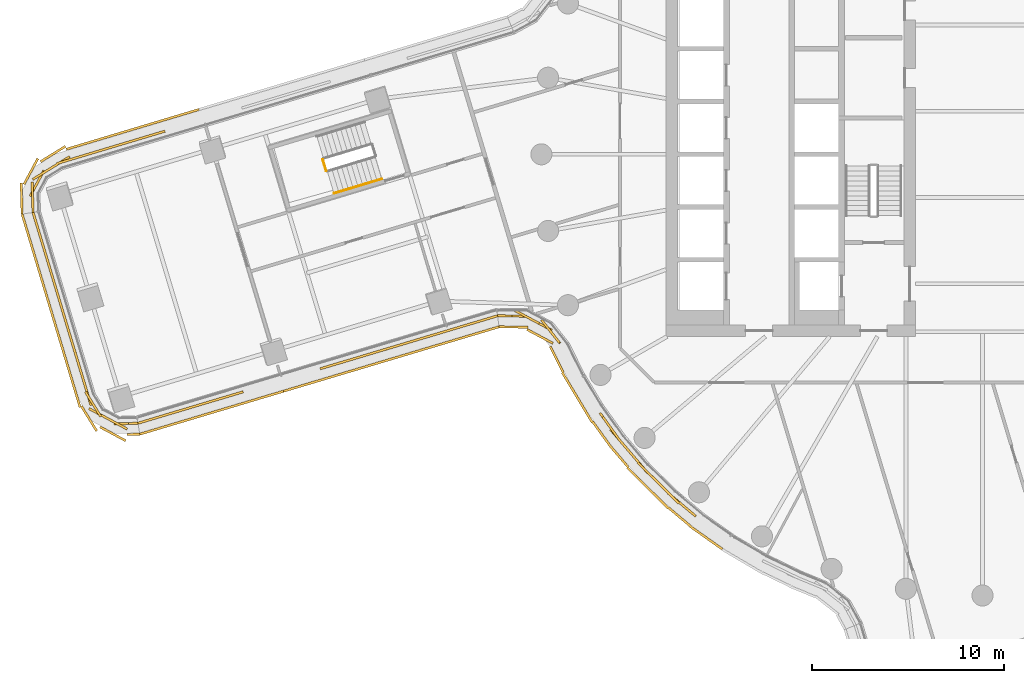
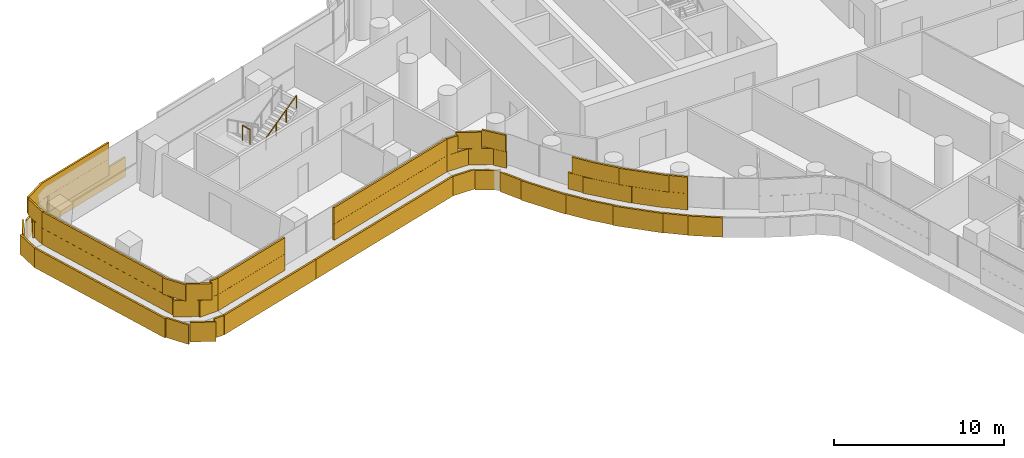
# One storey, part 26 of 32: 5 coverings, 2 railings.
"""IFC4 building model written with IfcOpenShell, lengths in metres."""

from ifc_helpers import new_model, si_unit, direction, frame, origin, origin_2d, place, context, subcontext, project, spatial, rectangle, circle, extrude, material, layer, layer_set, type_object, element, save


model = new_model("IFC4")

# Units and contexts
model_context = context("Model", 3, precision=1e-05, world=origin(), true_north=direction((0.0, 1.0)))
body_context = subcontext(model_context, "Body", "Model", "MODEL_VIEW")
ifc_project = project(units=[si_unit("LENGTHUNIT", "METRE"), si_unit("AREAUNIT", "SQUARE_METRE"), si_unit("VOLUMEUNIT", "CUBIC_METRE"), si_unit("PLANEANGLEUNIT", "RADIAN"), si_unit("MASSUNIT", "GRAM", prefix="KILO")], contexts=[model_context])

# Site, building, storey
site_placement = place(None, origin())
site = spatial("IfcSite", under=ifc_project, at=site_placement, CompositionType="ELEMENT")
building_placement = place(site_placement, origin())
building = spatial("IfcBuilding", under=site, at=building_placement, Name="Tamarind Cross Interchange Tower", CompositionType="ELEMENT")
storey_placement = place(building_placement, frame((0.0, 0.0, 94.75)))
storey = spatial("IfcBuildingStorey", under=building, at=storey_placement, Name="L22", CompositionType="ELEMENT", Elevation=94.75)

# Railings
ifc_material_1 = material(Name="Stair guard")
railing_type_1 = type_object("IfcRailingType", Name="Stair guard", PredefinedType="GUARDRAIL", material=ifc_material_1)
railing_1_placement = place(storey_placement, frame((-34.394287109375, -0.27685546875, 1.875)))
element("IfcRailing", 1, at=railing_1_placement, inside=storey, type_object=railing_type_1, Name="L22 ST5 stair guard 2", PredefinedType="GUARDRAIL", context=body_context, shape_type="SweptSolid", body=[
    extrude(circle(Radius=0.02392578125, at=origin_2d()), frame((0.0, 0.0, 1.076171875), z_axis=(0.287758606803, -0.957702972853, 0.0), x_axis=(0.957702972853, 0.287758606803, 0.0)), (0.0, 0.0, 1.0), 0.599853515625),
    extrude(circle(Radius=0.02099609375, at=origin_2d()), origin(), (0.0, 0.0, 1.0), 1.052001953125),
    extrude(circle(Radius=0.02099609375, at=origin_2d()), frame((0.172607421875, -0.574462890625, 0.0)), (0.0, 0.0, 1.0), 1.052001953125),
])
ifc_material_2 = material(Name="Stair handrail")
railing_type_2 = type_object("IfcRailingType", Name="Stair handrail", PredefinedType="HANDRAIL", material=ifc_material_2)
railing_2_placement = place(storey_placement, frame((-33.814208984375, -2.0341796875, 2.04541015625)))
element("IfcRailing", 2, at=railing_2_placement, inside=storey, type_object=railing_type_2, Name="L22 ST5 stair handrail 2", PredefinedType="HANDRAIL", context=body_context, shape_type="SweptSolid", body=[
    extrude(circle(Radius=0.02392578125, at=origin_2d()), frame((0.0, 0.0, 0.8759765625), z_axis=(0.800966811225, 0.240525621842, 0.5482696349), x_axis=(-0.287606307034, 0.957748720779, 0.0)), (0.0, 0.0, 1.0), 3.109130859375),
    extrude(circle(Radius=0.02099609375, at=origin_2d()), origin(), (0.0, 0.0, 1.0), 0.851806640625),
    extrude(circle(Radius=0.02099609375, at=origin_2d()), frame((0.830078125, 0.249267578125, 0.568115234375)), (0.0, 0.0, 1.0), 0.851806640625),
    extrude(circle(Radius=0.02099609375, at=origin_2d()), frame((1.66015625, 0.49853515625, 1.136474609375)), (0.0, 0.0, 1.0), 0.851806640625),
    extrude(circle(Radius=0.02099609375, at=origin_2d()), frame((2.490234375, 0.747802734375, 1.70458984375)), (0.0, 0.0, 1.0), 0.851806640625),
])

# Coverings
ifc_material_3 = material(Name="Terracotta", Category="masonry")
ifc_layer = layer(ifc_material_3, 0.1201171875)
ifc_layer_set = layer_set([ifc_layer], Name="Terracotta")
covering_type = type_object("IfcCoveringType", Name="Terracotta baguette screen unit", PredefinedType="MOLDING", material=ifc_layer_set)
covering_1_placement = place(storey_placement, origin())
element("IfcCovering", 3, at=covering_1_placement, inside=storey, type_object=covering_type, Name="SCR-L22-03-02", PredefinedType="MOLDING", context=body_context, shape_type="SweptSolid", body=[
    extrude(rectangle(XDim=0.63232421875, YDim=0.1201171875, at=origin_2d()), frame((-42.92822265625, 1.117431640625, 1.404052734375), z_axis=(0.0, 0.0, 1.0), x_axis=(-0.957738195167, -0.287641355717, 0.0)), (0.0, 0.0, 1.0), 1.1669921875),
    extrude(rectangle(XDim=1.52001953125, YDim=0.1201171875, at=origin_2d()), frame((-43.9443359375, 0.812255859375, 1.404052734375), z_axis=(0.0, 0.0, 1.0), x_axis=(-0.957738195167, -0.287641355717, 0.0)), (0.0, 0.0, 1.0), 1.1669921875),
    extrude(rectangle(XDim=1.52001953125, YDim=0.1201171875, at=origin_2d()), frame((-45.381103515625, 0.380859375, 1.404052734375), z_axis=(0.0, 0.0, 1.0), x_axis=(-0.957738195167, -0.287641355717, 0.0)), (0.0, 0.0, 1.0), 1.1669921875),
    extrude(rectangle(XDim=1.52001953125, YDim=0.1201171875, at=origin_2d()), frame((-46.817626953125, -0.05078125, 1.404052734375), z_axis=(0.0, 0.0, 1.0), x_axis=(-0.957738195167, -0.287641355717, 0.0)), (0.0, 0.0, 1.0), 1.1669921875),
    extrude(rectangle(XDim=1.52001953125, YDim=0.1201171875, at=origin_2d()), frame((-48.238037109375, -0.51806640625, 1.404052734375), z_axis=(0.0, 0.0, 1.0), x_axis=(-0.850656996517, -0.525721099327, 0.0)), (0.0, 0.0, 1.0), 1.1669921875),
    extrude(rectangle(XDim=1.52001953125, YDim=0.1201171875, at=origin_2d()), frame((-49.295654296875, -1.512451171875, 1.404052734375), z_axis=(0.0, 0.0, 1.0), x_axis=(-0.473830019227, -0.880616325581, 0.0)), (0.0, 0.0, 1.0), 1.1669921875),
    extrude(rectangle(XDim=0.835205078125, YDim=0.1201171875, at=origin_2d()), frame((-49.5146484375, -2.614501953125, 1.404052734375), z_axis=(0.0, 0.0, 1.0), x_axis=(0.029959329064, -0.999551118554, 0.0)), (0.0, 0.0, 1.0), 1.1669921875),
    extrude(rectangle(XDim=1.38232421875, YDim=0.1201171875, at=origin_2d()), frame((-43.287353515625, 1.009521484375, 2.5791015625), z_axis=(0.0, 0.0, 1.0), x_axis=(-0.957738195167, -0.287641355717, 0.0)), (0.0, 0.0, 1.0), 1.1669921875),
    extrude(rectangle(XDim=1.52001953125, YDim=0.1201171875, at=origin_2d()), frame((-44.662841796875, 0.596435546875, 2.5791015625), z_axis=(0.0, 0.0, 1.0), x_axis=(-0.957738195167, -0.287641355717, 0.0)), (0.0, 0.0, 1.0), 1.1669921875),
    extrude(rectangle(XDim=1.52001953125, YDim=0.1201171875, at=origin_2d()), frame((-46.099365234375, 0.1650390625, 2.5791015625), z_axis=(0.0, 0.0, 1.0), x_axis=(-0.957738195167, -0.287641355717, 0.0)), (0.0, 0.0, 1.0), 1.1669921875),
    extrude(rectangle(XDim=1.52001953125, YDim=0.1201171875, at=origin_2d()), frame((-47.535888671875, -0.266357421875, 2.5791015625), z_axis=(0.0, 0.0, 1.0), x_axis=(-0.957738195167, -0.287641355717, 0.0)), (0.0, 0.0, 1.0), 1.1669921875),
    extrude(rectangle(XDim=1.52001953125, YDim=0.1201171875, at=origin_2d()), frame((-48.8759765625, -0.912353515625, 2.5791015625), z_axis=(0.0, 0.0, 1.0), x_axis=(-0.850656996517, -0.525721099327, 0.0)), (0.0, 0.0, 1.0), 1.1669921875),
    extrude(rectangle(XDim=1.52001953125, YDim=0.1201171875, at=origin_2d()), frame((-49.527099609375, -2.2021484375, 2.5791015625), z_axis=(0.0, 0.0, 1.0), x_axis=(0.029959329064, -0.999551118554, 0.0)), (0.0, 0.0, 1.0), 1.1669921875),
    extrude(rectangle(XDim=0.085205078125, YDim=0.1201171875, at=origin_2d()), frame((-49.50341796875, -2.9892578125, 2.5791015625), z_axis=(0.0, 0.0, 1.0), x_axis=(0.029959329064, -0.999551118554, 0.0)), (0.0, 0.0, 1.0), 1.1669921875),
    extrude(rectangle(XDim=1.22119140625, YDim=0.1201171875, at=origin_2d()), frame((-41.436279296875, 2.164794921875, 0.00390625), z_axis=(0.0, 0.0, 1.0), x_axis=(-0.957738195167, -0.287641355717, 0.0)), (0.0, 0.0, 1.0), 1.39208984375),
    extrude(rectangle(XDim=1.52001953125, YDim=0.1201171875, at=origin_2d()), frame((-42.729736328125, 1.7763671875, 0.00390625), z_axis=(0.0, 0.0, 1.0), x_axis=(-0.957738195167, -0.287641355717, 0.0)), (0.0, 0.0, 1.0), 1.39208984375),
    extrude(rectangle(XDim=1.52001953125, YDim=0.1201171875, at=origin_2d()), frame((-44.166259765625, 1.344970703125, 0.00390625), z_axis=(0.0, 0.0, 1.0), x_axis=(-0.957738195167, -0.287641355717, 0.0)), (0.0, 0.0, 1.0), 1.39208984375),
    extrude(rectangle(XDim=1.52001953125, YDim=0.1201171875, at=origin_2d()), frame((-45.60302734375, 0.913330078125, 0.00390625), z_axis=(0.0, 0.0, 1.0), x_axis=(-0.957738195167, -0.287641355717, 0.0)), (0.0, 0.0, 1.0), 1.39208984375),
    extrude(rectangle(XDim=1.52001953125, YDim=0.1201171875, at=origin_2d()), frame((-47.03955078125, 0.48193359375, 0.00390625), z_axis=(0.0, 0.0, 1.0), x_axis=(-0.957738195167, -0.287641355717, 0.0)), (0.0, 0.0, 1.0), 1.39208984375),
    extrude(rectangle(XDim=1.52001953125, YDim=0.1201171875, at=origin_2d()), frame((-48.461669921875, 0.018310546875, 0.00390625), z_axis=(0.0, 0.0, 1.0), x_axis=(-0.850656996517, -0.525721099327, 0.0)), (0.0, 0.0, 1.0), 1.39208984375),
    extrude(rectangle(XDim=1.52001953125, YDim=0.1201171875, at=origin_2d()), frame((-49.61181640625, -0.888671875, 0.00390625), z_axis=(0.0, 0.0, 1.0), x_axis=(-0.473830019227, -0.880616325581, 0.0)), (0.0, 0.0, 1.0), 1.39208984375),
    extrude(rectangle(XDim=1.52001953125, YDim=0.1201171875, at=origin_2d()), frame((-50.099365234375, -2.26220703125, 0.00390625), z_axis=(0.0, 0.0, 1.0), x_axis=(0.029959329064, -0.999551118554, 0.0)), (0.0, 0.0, 1.0), 1.39208984375),
    extrude(rectangle(XDim=0.11767578125, YDim=0.1201171875, at=origin_2d()), frame((-50.075439453125, -3.060791015625, 0.00390625), z_axis=(0.0, 0.0, 1.0), x_axis=(0.029959329064, -0.999551118554, 0.0)), (0.0, 0.0, 1.0), 1.39208984375),
])
covering_2_placement = place(storey_placement, origin())
element("IfcCovering", 4, at=covering_2_placement, inside=storey, type_object=covering_type, Name="SCR-L22-04-00", PredefinedType="MOLDING", context=body_context, shape_type="SweptSolid", body=[
    extrude(rectangle(XDim=1.510009765625, YDim=0.1201171875, at=origin_2d()), frame((-49.28662109375, -3.7451171875, 1.404052734375), z_axis=(0.0, 0.0, 1.0), x_axis=(0.287641355717, -0.957738195167, 0.0)), (0.0, 0.0, 1.0), 1.1669921875),
    extrude(rectangle(XDim=1.52001953125, YDim=0.1201171875, at=origin_2d()), frame((-48.85498046875, -5.181884765625, 1.404052734375), z_axis=(0.0, 0.0, 1.0), x_axis=(0.287641355717, -0.957738195167, 0.0)), (0.0, 0.0, 1.0), 1.1669921875),
    extrude(rectangle(XDim=1.52001953125, YDim=0.1201171875, at=origin_2d()), frame((-48.423583984375, -6.618408203125, 1.404052734375), z_axis=(0.0, 0.0, 1.0), x_axis=(0.287641355717, -0.957738195167, 0.0)), (0.0, 0.0, 1.0), 1.1669921875),
    extrude(rectangle(XDim=1.52001953125, YDim=0.1201171875, at=origin_2d()), frame((-47.9921875, -8.054931640625, 1.404052734375), z_axis=(0.0, 0.0, 1.0), x_axis=(0.287641355717, -0.957738195167, 0.0)), (0.0, 0.0, 1.0), 1.1669921875),
    extrude(rectangle(XDim=1.52001953125, YDim=0.1201171875, at=origin_2d()), frame((-47.560791015625, -9.49169921875, 1.404052734375), z_axis=(0.0, 0.0, 1.0), x_axis=(0.287641355717, -0.957738195167, 0.0)), (0.0, 0.0, 1.0), 1.1669921875),
    extrude(rectangle(XDim=1.52001953125, YDim=0.1201171875, at=origin_2d()), frame((-47.129150390625, -10.92822265625, 1.404052734375), z_axis=(0.0, 0.0, 1.0), x_axis=(0.287641355717, -0.957738195167, 0.0)), (0.0, 0.0, 1.0), 1.1669921875),
    extrude(rectangle(XDim=1.52001953125, YDim=0.1201171875, at=origin_2d()), frame((-46.69775390625, -12.36474609375, 1.404052734375), z_axis=(0.0, 0.0, 1.0), x_axis=(0.287641355717, -0.957738195167, 0.0)), (0.0, 0.0, 1.0), 1.1669921875),
    extrude(rectangle(XDim=1.52001953125, YDim=0.1201171875, at=origin_2d()), frame((-45.91943359375, -13.611572265625, 1.404052734375), z_axis=(0.0, 0.0, 1.0), x_axis=(0.880616325581, -0.473830019227, 0.0)), (0.0, 0.0, 1.0), 1.1669921875),
    extrude(rectangle(XDim=1.259521484375, YDim=0.1201171875, at=origin_2d()), frame((-44.655517578125, -14.038330078125, 1.404052734375), z_axis=(0.0, 0.0, 1.0), x_axis=(0.999551118554, 0.029959329064, 0.0)), (0.0, 0.0, 1.0), 1.1669921875),
    extrude(rectangle(XDim=0.760009765625, YDim=0.1201171875, at=origin_2d()), frame((-49.39453125, -3.385986328125, 2.5791015625), z_axis=(0.0, 0.0, 1.0), x_axis=(0.287641355717, -0.957738195167, 0.0)), (0.0, 0.0, 1.0), 1.1669921875),
    extrude(rectangle(XDim=1.52001953125, YDim=0.1201171875, at=origin_2d()), frame((-49.07080078125, -4.46337890625, 2.5791015625), z_axis=(0.0, 0.0, 1.0), x_axis=(0.287641355717, -0.957738195167, 0.0)), (0.0, 0.0, 1.0), 1.1669921875),
    extrude(rectangle(XDim=1.52001953125, YDim=0.1201171875, at=origin_2d()), frame((-48.639404296875, -5.900146484375, 2.5791015625), z_axis=(0.0, 0.0, 1.0), x_axis=(0.287641355717, -0.957738195167, 0.0)), (0.0, 0.0, 1.0), 1.1669921875),
    extrude(rectangle(XDim=1.52001953125, YDim=0.1201171875, at=origin_2d()), frame((-48.2080078125, -7.336669921875, 2.5791015625), z_axis=(0.0, 0.0, 1.0), x_axis=(0.287641355717, -0.957738195167, 0.0)), (0.0, 0.0, 1.0), 1.1669921875),
    extrude(rectangle(XDim=1.52001953125, YDim=0.1201171875, at=origin_2d()), frame((-47.7763671875, -8.773193359375, 2.5791015625), z_axis=(0.0, 0.0, 1.0), x_axis=(0.287641355717, -0.957738195167, 0.0)), (0.0, 0.0, 1.0), 1.1669921875),
    extrude(rectangle(XDim=1.52001953125, YDim=0.1201171875, at=origin_2d()), frame((-47.344970703125, -10.2099609375, 2.5791015625), z_axis=(0.0, 0.0, 1.0), x_axis=(0.287641355717, -0.957738195167, 0.0)), (0.0, 0.0, 1.0), 1.1669921875),
    extrude(rectangle(XDim=1.52001953125, YDim=0.1201171875, at=origin_2d()), frame((-46.91357421875, -11.646484375, 2.5791015625), z_axis=(0.0, 0.0, 1.0), x_axis=(0.287641355717, -0.957738195167, 0.0)), (0.0, 0.0, 1.0), 1.1669921875),
    extrude(rectangle(XDim=1.52001953125, YDim=0.1201171875, at=origin_2d()), frame((-46.36865234375, -13.0322265625, 2.5791015625), z_axis=(0.0, 0.0, 1.0), x_axis=(0.525721099327, -0.850656996517, 0.0)), (0.0, 0.0, 1.0), 1.1669921875),
    extrude(rectangle(XDim=1.52001953125, YDim=0.1201171875, at=origin_2d()), frame((-45.2587890625, -13.967041015625, 2.5791015625), z_axis=(0.0, 0.0, 1.0), x_axis=(0.880616325581, -0.473830019227, 0.0)), (0.0, 0.0, 1.0), 1.1669921875),
    extrude(rectangle(XDim=0.509521484375, YDim=0.1201171875, at=origin_2d()), frame((-44.28076171875, -14.027099609375, 2.5791015625), z_axis=(0.0, 0.0, 1.0), x_axis=(0.999551118554, 0.029959329064, 0.0)), (0.0, 0.0, 1.0), 1.1669921875),
    extrude(rectangle(XDim=1.510009765625, YDim=0.1201171875, at=origin_2d()), frame((-49.856689453125, -3.8427734375, 0.00390625), z_axis=(0.0, 0.0, 1.0), x_axis=(0.287641355717, -0.957738195167, 0.0)), (0.0, 0.0, 1.0), 1.39208984375),
    extrude(rectangle(XDim=1.52001953125, YDim=0.1201171875, at=origin_2d()), frame((-49.426513671875, -5.2744140625, 0.00390625), z_axis=(0.0, 0.0, 1.0), x_axis=(0.287641355717, -0.957738195167, 0.0)), (0.0, 0.0, 1.0), 1.39208984375),
    extrude(rectangle(XDim=1.52001953125, YDim=0.1201171875, at=origin_2d()), frame((-48.9951171875, -6.711181640625, 0.00390625), z_axis=(0.0, 0.0, 1.0), x_axis=(0.287641355717, -0.957738195167, 0.0)), (0.0, 0.0, 1.0), 1.39208984375),
    extrude(rectangle(XDim=1.52001953125, YDim=0.1201171875, at=origin_2d()), frame((-48.563720703125, -8.147705078125, 0.00390625), z_axis=(0.0, 0.0, 1.0), x_axis=(0.287641355717, -0.957738195167, 0.0)), (0.0, 0.0, 1.0), 1.39208984375),
    extrude(rectangle(XDim=1.52001953125, YDim=0.1201171875, at=origin_2d()), frame((-48.132080078125, -9.584228515625, 0.00390625), z_axis=(0.0, 0.0, 1.0), x_axis=(0.287641355717, -0.957738195167, 0.0)), (0.0, 0.0, 1.0), 1.39208984375),
    extrude(rectangle(XDim=1.52001953125, YDim=0.1201171875, at=origin_2d()), frame((-47.70068359375, -11.02099609375, 0.00390625), z_axis=(0.0, 0.0, 1.0), x_axis=(0.287641355717, -0.957738195167, 0.0)), (0.0, 0.0, 1.0), 1.39208984375),
    extrude(rectangle(XDim=1.52001953125, YDim=0.1201171875, at=origin_2d()), frame((-47.269287109375, -12.45751953125, 0.00390625), z_axis=(0.0, 0.0, 1.0), x_axis=(0.287641355717, -0.957738195167, 0.0)), (0.0, 0.0, 1.0), 1.39208984375),
    extrude(rectangle(XDim=1.52001953125, YDim=0.1201171875, at=origin_2d()), frame((-46.581787109375, -13.779052734375, 0.00390625), z_axis=(0.0, 0.0, 1.0), x_axis=(0.525721099327, -0.850656996517, 0.0)), (0.0, 0.0, 1.0), 1.39208984375),
    extrude(rectangle(XDim=1.52001953125, YDim=0.1201171875, at=origin_2d()), frame((-45.3408203125, -14.57470703125, 0.00390625), z_axis=(0.0, 0.0, 1.0), x_axis=(0.880616325581, -0.473830019227, 0.0)), (0.0, 0.0, 1.0), 1.39208984375),
    extrude(rectangle(XDim=0.6767578125, YDim=0.1201171875, at=origin_2d()), frame((-44.27685546875, -14.60107421875, 0.00390625), z_axis=(0.0, 0.0, 1.0), x_axis=(0.999551118554, 0.029959329064, 0.0)), (0.0, 0.0, 1.0), 1.39208984375),
])
covering_3_placement = place(storey_placement, origin())
element("IfcCovering", 5, at=covering_3_placement, inside=storey, type_object=covering_type, Name="SCR-L22-05-00", PredefinedType="MOLDING", context=body_context, shape_type="SweptSolid", body=[
    extrude(rectangle(XDim=1.510009765625, YDim=0.1201171875, at=origin_2d()), frame((-43.3125, -13.8046875, 1.404052734375), z_axis=(0.0, 0.0, 1.0), x_axis=(0.958138695884, 0.286304452373, 0.0)), (0.0, 0.0, 1.0), 1.1669921875),
    extrude(rectangle(XDim=1.52001953125, YDim=0.1201171875, at=origin_2d()), frame((-41.875244140625, -13.375244140625, 1.404052734375), z_axis=(0.0, 0.0, 1.0), x_axis=(0.958138695884, 0.286304452373, 0.0)), (0.0, 0.0, 1.0), 1.1669921875),
    extrude(rectangle(XDim=1.52001953125, YDim=0.1201171875, at=origin_2d()), frame((-40.43798828125, -12.94580078125, 1.404052734375), z_axis=(0.0, 0.0, 1.0), x_axis=(0.958138695884, 0.286304452373, 0.0)), (0.0, 0.0, 1.0), 1.1669921875),
    extrude(rectangle(XDim=1.229736328125, YDim=0.1201171875, at=origin_2d()), frame((-39.135009765625, -12.556640625, 1.404052734375), z_axis=(0.0, 0.0, 1.0), x_axis=(0.958138695884, 0.286304452373, 0.0)), (0.0, 0.0, 1.0), 1.1669921875),
    extrude(rectangle(XDim=0.760009765625, YDim=0.1201171875, at=origin_2d()), frame((-43.671630859375, -13.912109375, 2.5791015625), z_axis=(0.0, 0.0, 1.0), x_axis=(0.958138695884, 0.286304452373, 0.0)), (0.0, 0.0, 1.0), 1.1669921875),
    extrude(rectangle(XDim=1.52001953125, YDim=0.1201171875, at=origin_2d()), frame((-42.59375, -13.590087890625, 2.5791015625), z_axis=(0.0, 0.0, 1.0), x_axis=(0.958138695884, 0.286304452373, 0.0)), (0.0, 0.0, 1.0), 1.1669921875),
    extrude(rectangle(XDim=1.52001953125, YDim=0.1201171875, at=origin_2d()), frame((-41.15673828125, -13.16064453125, 2.5791015625), z_axis=(0.0, 0.0, 1.0), x_axis=(0.958138695884, 0.286304452373, 0.0)), (0.0, 0.0, 1.0), 1.1669921875),
    extrude(rectangle(XDim=1.52001953125, YDim=0.1201171875, at=origin_2d()), frame((-39.719482421875, -12.731201171875, 2.5791015625), z_axis=(0.0, 0.0, 1.0), x_axis=(0.958138695884, 0.286304452373, 0.0)), (0.0, 0.0, 1.0), 1.1669921875),
    extrude(rectangle(XDim=0.479736328125, YDim=0.1201171875, at=origin_2d()), frame((-38.775634765625, -12.44921875, 2.5791015625), z_axis=(0.0, 0.0, 1.0), x_axis=(0.958138695884, 0.286304452373, 0.0)), (0.0, 0.0, 1.0), 1.1669921875),
    extrude(rectangle(XDim=1.510009765625, YDim=0.1201171875, at=origin_2d()), frame((-43.21533203125, -14.374755859375, 0.00390625), z_axis=(0.0, 0.0, 1.0), x_axis=(0.958138695884, 0.286304452373, 0.0)), (0.0, 0.0, 1.0), 1.39208984375),
    extrude(rectangle(XDim=1.52001953125, YDim=0.1201171875, at=origin_2d()), frame((-41.782958984375, -13.94677734375, 0.00390625), z_axis=(0.0, 0.0, 1.0), x_axis=(0.958138695884, 0.286304452373, 0.0)), (0.0, 0.0, 1.0), 1.39208984375),
    extrude(rectangle(XDim=1.52001953125, YDim=0.1201171875, at=origin_2d()), frame((-40.345703125, -13.517333984375, 0.00390625), z_axis=(0.0, 0.0, 1.0), x_axis=(0.958138695884, 0.286304452373, 0.0)), (0.0, 0.0, 1.0), 1.39208984375),
    extrude(rectangle(XDim=1.52001953125, YDim=0.1201171875, at=origin_2d()), frame((-38.908447265625, -13.087890625, 0.00390625), z_axis=(0.0, 0.0, 1.0), x_axis=(0.958138695884, 0.286304452373, 0.0)), (0.0, 0.0, 1.0), 1.39208984375),
    extrude(rectangle(XDim=1.52001953125, YDim=0.1201171875, at=origin_2d()), frame((-37.47119140625, -12.658447265625, 0.00390625), z_axis=(0.0, 0.0, 1.0), x_axis=(0.958138695884, 0.286304452373, 0.0)), (0.0, 0.0, 1.0), 1.39208984375),
    extrude(rectangle(XDim=0.32470703125, YDim=0.1201171875, at=origin_2d()), frame((-36.606689453125, -12.400146484375, 0.00390625), z_axis=(0.0, 0.0, 1.0), x_axis=(0.958138695884, 0.286304452373, 0.0)), (0.0, 0.0, 1.0), 1.39208984375),
])
covering_4_placement = place(storey_placement, origin())
element("IfcCovering", 6, at=covering_4_placement, inside=storey, type_object=covering_type, Name="SCR-L22-05-01", PredefinedType="MOLDING", context=body_context, shape_type="SweptSolid", body=[
    extrude(rectangle(XDim=0.59033203125, YDim=0.1201171875, at=origin_2d()), frame((-34.24853515625, -11.096435546875, 1.404052734375), z_axis=(0.0, 0.0, 1.0), x_axis=(0.958138695884, 0.286304452373, 0.0)), (0.0, 0.0, 1.0), 1.1669921875),
    extrude(rectangle(XDim=1.52001953125, YDim=0.1201171875, at=origin_2d()), frame((-33.251953125, -10.798583984375, 1.404052734375), z_axis=(0.0, 0.0, 1.0), x_axis=(0.958138695884, 0.286304452373, 0.0)), (0.0, 0.0, 1.0), 1.1669921875),
    extrude(rectangle(XDim=1.52001953125, YDim=0.1201171875, at=origin_2d()), frame((-31.814697265625, -10.369140625, 1.404052734375), z_axis=(0.0, 0.0, 1.0), x_axis=(0.958138695884, 0.286304452373, 0.0)), (0.0, 0.0, 1.0), 1.1669921875),
    extrude(rectangle(XDim=1.52001953125, YDim=0.1201171875, at=origin_2d()), frame((-30.37744140625, -9.939697265625, 1.404052734375), z_axis=(0.0, 0.0, 1.0), x_axis=(0.958138695884, 0.286304452373, 0.0)), (0.0, 0.0, 1.0), 1.1669921875),
    extrude(rectangle(XDim=1.52001953125, YDim=0.1201171875, at=origin_2d()), frame((-28.9404296875, -9.51025390625, 1.404052734375), z_axis=(0.0, 0.0, 1.0), x_axis=(0.958138695884, 0.286304452373, 0.0)), (0.0, 0.0, 1.0), 1.1669921875),
    extrude(rectangle(XDim=1.52001953125, YDim=0.1201171875, at=origin_2d()), frame((-27.503173828125, -9.080810546875, 1.404052734375), z_axis=(0.0, 0.0, 1.0), x_axis=(0.958138695884, 0.286304452373, 0.0)), (0.0, 0.0, 1.0), 1.1669921875),
    extrude(rectangle(XDim=1.52001953125, YDim=0.1201171875, at=origin_2d()), frame((-26.06591796875, -8.6513671875, 1.404052734375), z_axis=(0.0, 0.0, 1.0), x_axis=(0.958138695884, 0.286304452373, 0.0)), (0.0, 0.0, 1.0), 1.1669921875),
    extrude(rectangle(XDim=0.0751953125, YDim=0.1201171875, at=origin_2d()), frame((-25.316162109375, -8.42724609375, 1.404052734375), z_axis=(0.0, 0.0, 1.0), x_axis=(0.958138695884, 0.286304452373, 0.0)), (0.0, 0.0, 1.0), 1.1669921875),
    extrude(rectangle(XDim=1.34033203125, YDim=0.1201171875, at=origin_2d()), frame((-33.88916015625, -10.989013671875, 2.5791015625), z_axis=(0.0, 0.0, 1.0), x_axis=(0.958138695884, 0.286304452373, 0.0)), (0.0, 0.0, 1.0), 1.1669921875),
    extrude(rectangle(XDim=1.52001953125, YDim=0.1201171875, at=origin_2d()), frame((-32.533447265625, -10.583740234375, 2.5791015625), z_axis=(0.0, 0.0, 1.0), x_axis=(0.958138695884, 0.286304452373, 0.0)), (0.0, 0.0, 1.0), 1.1669921875),
    extrude(rectangle(XDim=1.52001953125, YDim=0.1201171875, at=origin_2d()), frame((-31.09619140625, -10.154296875, 2.5791015625), z_axis=(0.0, 0.0, 1.0), x_axis=(0.958138695884, 0.286304452373, 0.0)), (0.0, 0.0, 1.0), 1.1669921875),
    extrude(rectangle(XDim=1.52001953125, YDim=0.1201171875, at=origin_2d()), frame((-29.658935546875, -9.724853515625, 2.5791015625), z_axis=(0.0, 0.0, 1.0), x_axis=(0.958138695884, 0.286304452373, 0.0)), (0.0, 0.0, 1.0), 1.1669921875),
    extrude(rectangle(XDim=1.52001953125, YDim=0.1201171875, at=origin_2d()), frame((-28.2216796875, -9.29541015625, 2.5791015625), z_axis=(0.0, 0.0, 1.0), x_axis=(0.958138695884, 0.286304452373, 0.0)), (0.0, 0.0, 1.0), 1.1669921875),
    extrude(rectangle(XDim=1.52001953125, YDim=0.1201171875, at=origin_2d()), frame((-26.784423828125, -8.865966796875, 2.5791015625), z_axis=(0.0, 0.0, 1.0), x_axis=(0.958138695884, 0.286304452373, 0.0)), (0.0, 0.0, 1.0), 1.1669921875),
    extrude(rectangle(XDim=0.8251953125, YDim=0.1201171875, at=origin_2d()), frame((-25.675537109375, -8.53466796875, 2.5791015625), z_axis=(0.0, 0.0, 1.0), x_axis=(0.958138695884, 0.286304452373, 0.0)), (0.0, 0.0, 1.0), 1.1669921875),
    extrude(rectangle(XDim=1.1953125, YDim=0.1201171875, at=origin_2d()), frame((-35.878662109375, -12.1826171875, 0.00390625), z_axis=(0.0, 0.0, 1.0), x_axis=(0.958138695884, 0.286304452373, 0.0)), (0.0, 0.0, 1.0), 1.39208984375),
    extrude(rectangle(XDim=1.52001953125, YDim=0.1201171875, at=origin_2d()), frame((-34.596923828125, -11.799560546875, 0.00390625), z_axis=(0.0, 0.0, 1.0), x_axis=(0.958138695884, 0.286304452373, 0.0)), (0.0, 0.0, 1.0), 1.39208984375),
    extrude(rectangle(XDim=1.52001953125, YDim=0.1201171875, at=origin_2d()), frame((-33.15966796875, -11.3701171875, 0.00390625), z_axis=(0.0, 0.0, 1.0), x_axis=(0.958138695884, 0.286304452373, 0.0)), (0.0, 0.0, 1.0), 1.39208984375),
    extrude(rectangle(XDim=1.52001953125, YDim=0.1201171875, at=origin_2d()), frame((-31.722412109375, -10.940673828125, 0.00390625), z_axis=(0.0, 0.0, 1.0), x_axis=(0.958138695884, 0.286304452373, 0.0)), (0.0, 0.0, 1.0), 1.39208984375),
    extrude(rectangle(XDim=1.52001953125, YDim=0.1201171875, at=origin_2d()), frame((-30.28515625, -10.51123046875, 0.00390625), z_axis=(0.0, 0.0, 1.0), x_axis=(0.958138695884, 0.286304452373, 0.0)), (0.0, 0.0, 1.0), 1.39208984375),
    extrude(rectangle(XDim=1.52001953125, YDim=0.1201171875, at=origin_2d()), frame((-28.84814453125, -10.081787109375, 0.00390625), z_axis=(0.0, 0.0, 1.0), x_axis=(0.958138695884, 0.286304452373, 0.0)), (0.0, 0.0, 1.0), 1.39208984375),
    extrude(rectangle(XDim=1.52001953125, YDim=0.1201171875, at=origin_2d()), frame((-27.410888671875, -9.65234375, 0.00390625), z_axis=(0.0, 0.0, 1.0), x_axis=(0.958138695884, 0.286304452373, 0.0)), (0.0, 0.0, 1.0), 1.39208984375),
    extrude(rectangle(XDim=1.52001953125, YDim=0.1201171875, at=origin_2d()), frame((-25.9736328125, -9.222900390625, 0.00390625), z_axis=(0.0, 0.0, 1.0), x_axis=(0.958138695884, 0.286304452373, 0.0)), (0.0, 0.0, 1.0), 1.39208984375),
    extrude(rectangle(XDim=0.06201171875, YDim=0.1201171875, at=origin_2d()), frame((-25.23486328125, -9.001953125, 0.00390625), z_axis=(0.0, 0.0, 1.0), x_axis=(0.958138695884, 0.286304452373, 0.0)), (0.0, 0.0, 1.0), 1.39208984375),
])
covering_5_placement = place(storey_placement, origin())
element("IfcCovering", 7, at=covering_5_placement, inside=storey, type_object=covering_type, Name="SCR-L22-06-00", PredefinedType="MOLDING", context=body_context, shape_type="SweptSolid", body=[
    extrude(rectangle(XDim=1.510009765625, YDim=0.1201171875, at=origin_2d()), frame((-24.534912109375, -8.4287109375, 1.404052734375), z_axis=(0.0, 0.0, 1.0), x_axis=(0.99989613667, -0.014412351413, 0.0)), (0.0, 0.0, 1.0), 1.1669921875),
    extrude(rectangle(XDim=1.52001953125, YDim=0.1201171875, at=origin_2d()), frame((-23.12841796875, -8.8125, 1.404052734375), z_axis=(0.0, 0.0, 1.0), x_axis=(0.882402619654, -0.470495076305, 0.0)), (0.0, 0.0, 1.0), 1.1669921875),
    extrude(rectangle(XDim=0.80322265625, YDim=0.1201171875, at=origin_2d()), frame((-22.276611328125, -9.543212890625, 1.404052734375), z_axis=(0.0, 0.0, 1.0), x_axis=(0.619343717701, -0.785119964938, 0.0)), (0.0, 0.0, 1.0), 1.1669921875),
    extrude(rectangle(XDim=1.016845703125, YDim=0.1201171875, at=origin_2d()), frame((-19.64794921875, -13.89794921875, 1.404052734375), z_axis=(0.0, 0.0, 1.0), x_axis=(0.584573890505, -0.811340475102, 0.0)), (0.0, 0.0, 1.0), 1.1669921875),
    extrude(rectangle(XDim=1.52001953125, YDim=0.1201171875, at=origin_2d()), frame((-18.912109375, -14.912353515625, 1.404052734375), z_axis=(0.0, 0.0, 1.0), x_axis=(0.64957723968, -0.760295606781, 0.0)), (0.0, 0.0, 1.0), 1.1669921875),
    extrude(rectangle(XDim=1.52001953125, YDim=0.1201171875, at=origin_2d()), frame((-17.937744140625, -16.052734375, 1.404052734375), z_axis=(0.0, 0.0, 1.0), x_axis=(0.64957723968, -0.760295606781, 0.0)), (0.0, 0.0, 1.0), 1.1669921875),
    extrude(rectangle(XDim=1.52001953125, YDim=0.1201171875, at=origin_2d()), frame((-16.899169921875, -17.1337890625, 1.404052734375), z_axis=(0.0, 0.0, 1.0), x_axis=(0.710143317658, -0.704057148523, 0.0)), (0.0, 0.0, 1.0), 1.1669921875),
    extrude(rectangle(XDim=1.52001953125, YDim=0.1201171875, at=origin_2d()), frame((-15.802490234375, -18.1552734375, 1.404052734375), z_axis=(0.0, 0.0, 1.0), x_axis=(0.765858396687, -0.643009266048, 0.0)), (0.0, 0.0, 1.0), 1.1669921875),
    extrude(rectangle(XDim=0.3662109375, YDim=0.1201171875, at=origin_2d()), frame((-15.091552734375, -18.751953125, 1.404052734375), z_axis=(0.0, 0.0, 1.0), x_axis=(0.765858396687, -0.643009266048, 0.0)), (0.0, 0.0, 1.0), 1.1669921875),
    extrude(rectangle(XDim=0.760009765625, YDim=0.1201171875, at=origin_2d()), frame((-24.909912109375, -8.42333984375, 2.5791015625), z_axis=(0.0, 0.0, 1.0), x_axis=(0.99989613667, -0.014412351413, 0.0)), (0.0, 0.0, 1.0), 1.1669921875),
    extrude(rectangle(XDim=1.52001953125, YDim=0.1201171875, at=origin_2d()), frame((-23.790283203125, -8.459716796875, 2.5791015625), z_axis=(0.0, 0.0, 1.0), x_axis=(0.882402619654, -0.470495076305, 0.0)), (0.0, 0.0, 1.0), 1.1669921875),
    extrude(rectangle(XDim=1.52001953125, YDim=0.1201171875, at=origin_2d()), frame((-22.522216796875, -9.231689453125, 2.5791015625), z_axis=(0.0, 0.0, 1.0), x_axis=(0.619343717701, -0.785119964938, 0.0)), (0.0, 0.0, 1.0), 1.1669921875),
    extrude(rectangle(XDim=1.52001953125, YDim=0.1201171875, at=origin_2d()), frame((-19.353515625, -14.306396484375, 2.5791015625), z_axis=(0.0, 0.0, 1.0), x_axis=(0.584573890505, -0.811340475102, 0.0)), (0.0, 0.0, 1.0), 1.1669921875),
    extrude(rectangle(XDim=1.52001953125, YDim=0.1201171875, at=origin_2d()), frame((-18.4248046875, -15.482666015625, 2.5791015625), z_axis=(0.0, 0.0, 1.0), x_axis=(0.64957723968, -0.760295606781, 0.0)), (0.0, 0.0, 1.0), 1.1669921875),
    extrude(rectangle(XDim=1.52001953125, YDim=0.1201171875, at=origin_2d()), frame((-17.431884765625, -16.605712890625, 2.5791015625), z_axis=(0.0, 0.0, 1.0), x_axis=(0.710143317658, -0.704057148523, 0.0)), (0.0, 0.0, 1.0), 1.1669921875),
    extrude(rectangle(XDim=1.52001953125, YDim=0.1201171875, at=origin_2d()), frame((-16.36669921875, -17.661865234375, 2.5791015625), z_axis=(0.0, 0.0, 1.0), x_axis=(0.710143317658, -0.704057148523, 0.0)), (0.0, 0.0, 1.0), 1.1669921875),
    extrude(rectangle(XDim=1.1162109375, YDim=0.1201171875, at=origin_2d()), frame((-15.37890625, -18.510986328125, 2.5791015625), z_axis=(0.0, 0.0, 1.0), x_axis=(0.765858396687, -0.643009266048, 0.0)), (0.0, 0.0, 1.0), 1.1669921875),
    extrude(rectangle(XDim=1.510009765625, YDim=0.1201171875, at=origin_2d()), frame((-24.4501953125, -9.00390625, 0.00390625), z_axis=(0.0, 0.0, 1.0), x_axis=(0.99989613667, -0.014412351413, 0.0)), (0.0, 0.0, 1.0), 1.39208984375),
    extrude(rectangle(XDim=1.52001953125, YDim=0.1201171875, at=origin_2d()), frame((-23.0751953125, -9.491455078125, 0.00390625), z_axis=(0.0, 0.0, 1.0), x_axis=(0.882402619654, -0.470495076305, 0.0)), (0.0, 0.0, 1.0), 1.39208984375),
    extrude(rectangle(XDim=1.52001953125, YDim=0.1201171875, at=origin_2d()), frame((-22.19970703125, -10.695068359375, 0.00390625), z_axis=(0.0, 0.0, 1.0), x_axis=(0.443723968604, -0.896163511691, 0.0)), (0.0, 0.0, 1.0), 1.39208984375),
    extrude(rectangle(XDim=1.52001953125, YDim=0.1201171875, at=origin_2d()), frame((-21.517333984375, -12.030029296875, 0.00390625), z_axis=(0.0, 0.0, 1.0), x_axis=(0.515577308909, -0.856843065292, 0.0)), (0.0, 0.0, 1.0), 1.39208984375),
    extrude(rectangle(XDim=1.52001953125, YDim=0.1201171875, at=origin_2d()), frame((-20.743896484375, -13.3154296875, 0.00390625), z_axis=(0.0, 0.0, 1.0), x_axis=(0.515577308909, -0.856843065292, 0.0)), (0.0, 0.0, 1.0), 1.39208984375),
    extrude(rectangle(XDim=1.52001953125, YDim=0.1201171875, at=origin_2d()), frame((-19.88818359375, -14.54638671875, 0.00390625), z_axis=(0.0, 0.0, 1.0), x_axis=(0.584573890505, -0.811340475102, 0.0)), (0.0, 0.0, 1.0), 1.39208984375),
    extrude(rectangle(XDim=1.52001953125, YDim=0.1201171875, at=origin_2d()), frame((-18.968505859375, -15.729736328125, 0.00390625), z_axis=(0.0, 0.0, 1.0), x_axis=(0.64957723968, -0.760295606781, 0.0)), (0.0, 0.0, 1.0), 1.39208984375),
    extrude(rectangle(XDim=1.52001953125, YDim=0.1201171875, at=origin_2d()), frame((-17.987060546875, -16.863525390625, 0.00390625), z_axis=(0.0, 0.0, 1.0), x_axis=(0.710143317658, -0.704057148523, 0.0)), (0.0, 0.0, 1.0), 1.39208984375),
    extrude(rectangle(XDim=1.52001953125, YDim=0.1201171875, at=origin_2d()), frame((-16.921875, -17.919677734375, 0.00390625), z_axis=(0.0, 0.0, 1.0), x_axis=(0.710143317658, -0.704057148523, 0.0)), (0.0, 0.0, 1.0), 1.39208984375),
    extrude(rectangle(XDim=1.52001953125, YDim=0.1201171875, at=origin_2d()), frame((-15.79638671875, -18.90966796875, 0.00390625), z_axis=(0.0, 0.0, 1.0), x_axis=(0.765858396687, -0.643009266048, 0.0)), (0.0, 0.0, 1.0), 1.39208984375),
    extrude(rectangle(XDim=1.52001953125, YDim=0.1201171875, at=origin_2d()), frame((-14.620361328125, -19.8388671875, 0.00390625), z_axis=(0.0, 0.0, 1.0), x_axis=(0.816341886298, -0.577568978284, 0.0)), (0.0, 0.0, 1.0), 1.39208984375),
    extrude(rectangle(XDim=0.542724609375, YDim=0.1201171875, at=origin_2d()), frame((-13.794677734375, -20.4228515625, 0.00390625), z_axis=(0.0, 0.0, 1.0), x_axis=(0.816341886298, -0.577568978284, 0.0)), (0.0, 0.0, 1.0), 1.39208984375),
])

save(model, "model.ifc")
